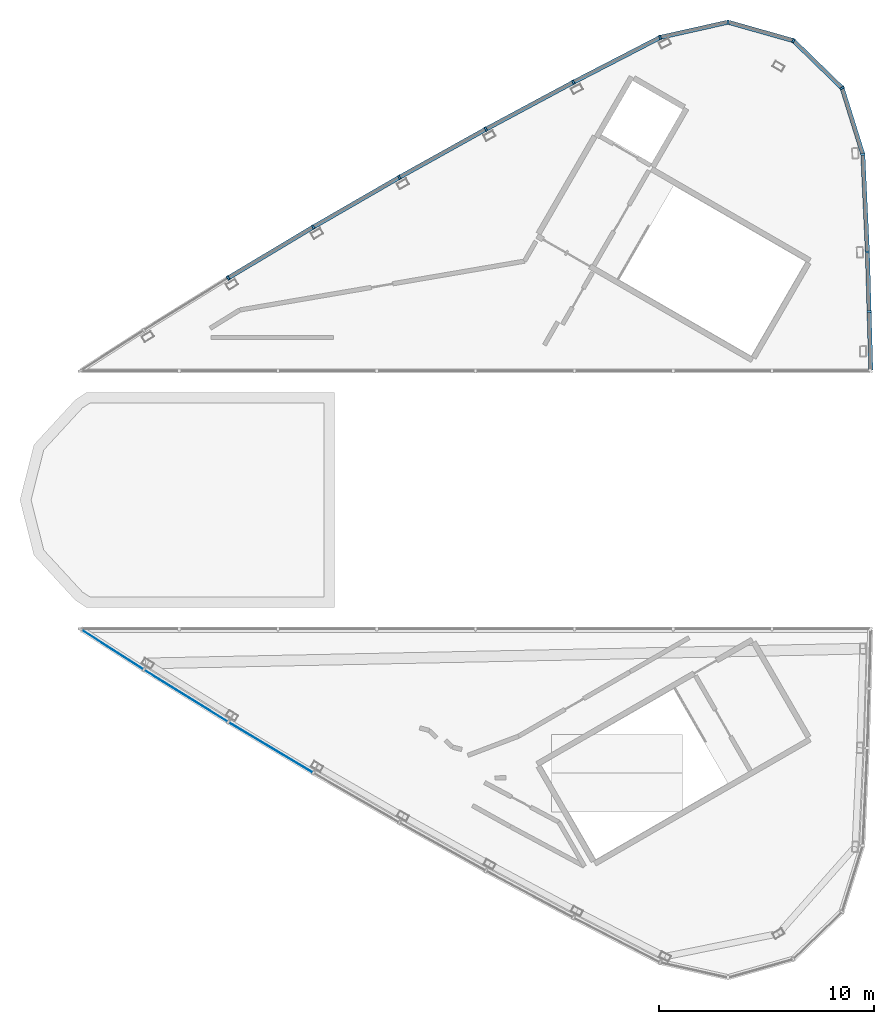
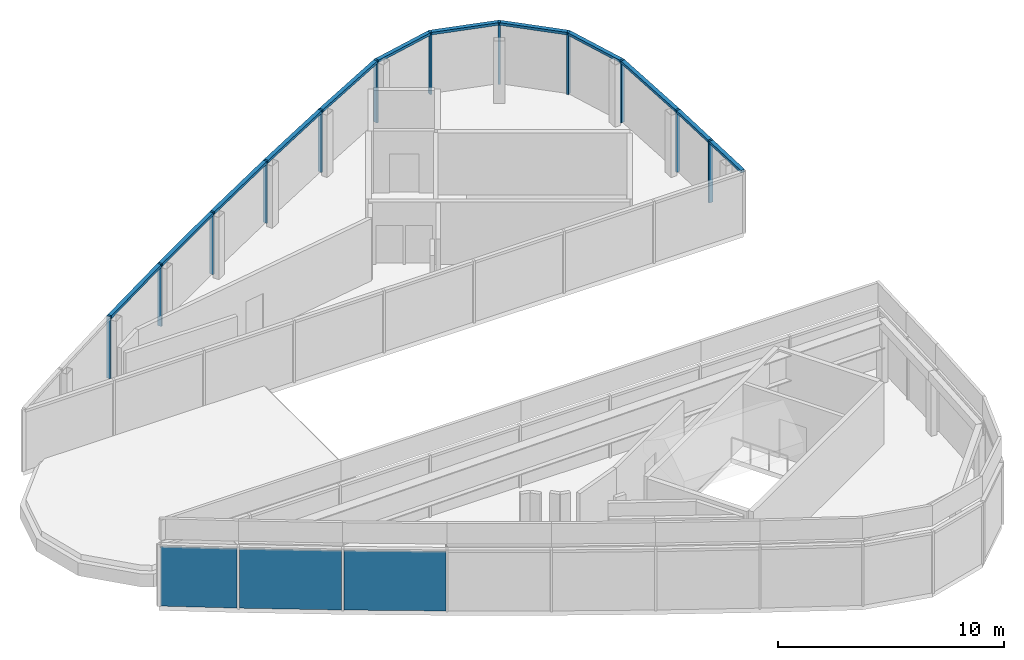
# One storey, part 3 of 7: 24 members, 3 plates, 2 elements without a shape of their own.
"""IFC4 building model written with IfcOpenShell, lengths in metres."""

from ifc_helpers import new_model, si_unit, direction, frame, origin, origin_2d, place, context, subcontext, project, spatial, rectangle, extrude, material, layer, layer_set, material_profile, profile_set, type_object, element, aggregate, save


model = new_model("IFC4")

# Units and contexts
model_context = context("Model", 3, precision=1e-05, world=origin(), true_north=direction((0.0, 1.0)))
body_context = subcontext(model_context, "Body", "Model", "MODEL_VIEW")
ifc_project = project(units=[si_unit("LENGTHUNIT", "METRE"), si_unit("AREAUNIT", "SQUARE_METRE"), si_unit("VOLUMEUNIT", "CUBIC_METRE"), si_unit("PLANEANGLEUNIT", "RADIAN"), si_unit("MASSUNIT", "GRAM", prefix="KILO")], contexts=[model_context])

# Site, building, storey
site_placement = place(None, origin())
site = spatial("IfcSite", under=ifc_project, at=site_placement, CompositionType="ELEMENT")
building_placement = place(site_placement, origin())
building = spatial("IfcBuilding", under=site, at=building_placement, Name="Tamra Quay Hotel Tower", CompositionType="ELEMENT")
storey_placement = place(building_placement, frame((0.0, 0.0, 335.0)))
storey = spatial("IfcBuildingStorey", under=building, at=storey_placement, Name="Roof crown 5", CompositionType="ELEMENT", Elevation=335.0)

# Curtain wall, members
ifc_material_1 = material(Name="Aluminium 6063 anodised dark grey", Category="aluminium")
curtain_wall_type = type_object("IfcCurtainWallType", Name="CW6 CURTAIN WALL", PredefinedType="NOTDEFINED", material=ifc_material_1)
curtain_wall_1_placement = place(storey_placement, origin())
curtain_wall_1 = element("IfcCurtainWall", 1, at=curtain_wall_1_placement, inside=storey, type_object=curtain_wall_type, Name="CW6 lantern A face Roof crown 5", PredefinedType="NOTDEFINED")
ifc_material_profile_1 = material_profile(ifc_material_1, rectangle(XDim=0.199951171875, YDim=0.10009765625, at=origin_2d()), Name="MULLION 100X200")
ifc_profile_set_1 = profile_set([ifc_material_profile_1], Name="Aluminium 6063 anodised dark grey")
member_type_1 = type_object("IfcMemberType", Name="MULLION CW6", PredefinedType="MULLION", material=ifc_profile_set_1)
member_1_placement = place(storey_placement, frame((15.767822265625, 11.528564453125, 0.0), z_axis=(0.0, 0.0, 1.0), x_axis=(0.999287700876, 0.037737128642, 0.0)))
member_1 = element("IfcMember", 2, at=member_1_placement, type_object=member_type_1, Name="CW6 mullion Roof crown 5.A.1", PredefinedType="MULLION", context=body_context, shape_type="SweptSolid", body=[
    extrude(rectangle(XDim=0.199951171875, YDim=0.10009765625, at=origin_2d()), origin(), (0.0, 0.0, 1.0), 3.35009765625),
])
member_2_placement = place(storey_placement, frame((15.555419921875, 16.063720703125, 0.0), z_axis=(0.0, 0.0, 1.0), x_axis=(0.984739916253, 0.174032460585, 0.0)))
member_2 = element("IfcMember", 3, at=member_2_placement, type_object=member_type_1, Name="CW6 mullion Roof crown 5.A.2", PredefinedType="MULLION", context=body_context, shape_type="SweptSolid", body=[
    extrude(rectangle(XDim=0.199951171875, YDim=0.10009765625, at=origin_2d()), origin(), (0.0, 0.0, 1.0), 3.35009765625),
])
member_3_placement = place(storey_placement, frame((14.5908203125, 19.149169921875, 0.0), z_axis=(0.0, 0.0, 1.0), x_axis=(0.851964184595, 0.523600065094, 0.0)))
member_3 = element("IfcMember", 4, at=member_3_placement, type_object=member_type_1, Name="CW6 mullion Roof crown 5.A.3", PredefinedType="MULLION", context=body_context, shape_type="SweptSolid", body=[
    extrude(rectangle(XDim=0.199951171875, YDim=0.10009765625, at=origin_2d()), origin(), (0.0, 0.0, 1.0), 3.35009765625),
])
member_4_placement = place(storey_placement, frame((12.3271484375, 21.351318359375, 0.0), z_axis=(0.0, 0.0, 1.0), x_axis=(0.5, 0.866025403784, 0.0)))
member_4 = element("IfcMember", 5, at=member_4_placement, type_object=member_type_1, Name="CW6 mullion Roof crown 5.A.4", PredefinedType="MULLION", context=body_context, shape_type="SweptSolid", body=[
    extrude(rectangle(XDim=0.199951171875, YDim=0.10009765625, at=origin_2d()), origin(), (0.0, 0.0, 1.0), 3.35009765625),
])
member_5_placement = place(storey_placement, frame((9.288330078125, 22.21044921875, 0.0), z_axis=(0.0, 0.0, 1.0), x_axis=(0.027468865497, 0.999622659521, 0.0)))
member_5 = element("IfcMember", 6, at=member_5_placement, type_object=member_type_1, Name="CW6 mullion Roof crown 5.A.5", PredefinedType="MULLION", context=body_context, shape_type="SweptSolid", body=[
    extrude(rectangle(XDim=0.199951171875, YDim=0.10009765625, at=origin_2d()), origin(), (0.0, 0.0, 1.0), 3.35009765625),
])
member_6_placement = place(storey_placement, frame((6.134033203125, 21.503173828125, 0.0), z_axis=(0.0, 0.0, 1.0), x_axis=(-0.341653426177, 0.939826013888, 0.0)))
member_6 = element("IfcMember", 7, at=member_6_placement, type_object=member_type_1, Name="CW6 mullion Roof crown 5.A.6", PredefinedType="MULLION", context=body_context, shape_type="SweptSolid", body=[
    extrude(rectangle(XDim=0.199951171875, YDim=0.10009765625, at=origin_2d()), origin(), (0.0, 0.0, 1.0), 3.35009765625),
])
member_7_placement = place(storey_placement, frame((2.10009765625, 19.419677734375, 0.0), z_axis=(0.0, 0.0, 1.0), x_axis=(-0.465815600445, 0.884881814923, 0.0)))
member_7 = element("IfcMember", 8, at=member_7_placement, type_object=member_type_1, Name="CW6 mullion Roof crown 5.A.7", PredefinedType="MULLION", context=body_context, shape_type="SweptSolid", body=[
    extrude(rectangle(XDim=0.199951171875, YDim=0.10009765625, at=origin_2d()), origin(), (0.0, 0.0, 1.0), 3.35009765625),
])
member_8_placement = place(storey_placement, frame((-1.96435546875, 17.239501953125, 0.0), z_axis=(0.0, 0.0, 1.0), x_axis=(-0.479565116943, 0.877506295483, 0.0)))
member_8 = element("IfcMember", 9, at=member_8_placement, type_object=member_type_1, Name="CW6 mullion Roof crown 5.A.8", PredefinedType="MULLION", context=body_context, shape_type="SweptSolid", body=[
    extrude(rectangle(XDim=0.199951171875, YDim=0.10009765625, at=origin_2d()), origin(), (0.0, 0.0, 1.0), 3.35009765625),
])
member_9_placement = place(storey_placement, frame((-5.99462890625, 14.995849609375, 0.0), z_axis=(0.0, 0.0, 1.0), x_axis=(-0.493215722033, 0.869907036148, 0.0)))
member_9 = element("IfcMember", 10, at=member_9_placement, type_object=member_type_1, Name="CW6 mullion Roof crown 5.A.9", PredefinedType="MULLION", context=body_context, shape_type="SweptSolid", body=[
    extrude(rectangle(XDim=0.199951171875, YDim=0.10009765625, at=origin_2d()), origin(), (0.0, 0.0, 1.0), 3.35009765625),
])
member_10_placement = place(storey_placement, frame((-9.989501953125, 12.689453125, 0.0), z_axis=(0.0, 0.0, 1.0), x_axis=(-0.506753731218, 0.862090862901, 0.0)))
member_10 = element("IfcMember", 11, at=member_10_placement, type_object=member_type_1, Name="CW6 mullion Roof crown 5.A.10", PredefinedType="MULLION", context=body_context, shape_type="SweptSolid", body=[
    extrude(rectangle(XDim=0.199951171875, YDim=0.10009765625, at=origin_2d()), origin(), (0.0, 0.0, 1.0), 3.35009765625),
])
member_11_placement = place(storey_placement, frame((-13.947509765625, 10.321044921875, 0.0), z_axis=(0.0, 0.0, 1.0), x_axis=(-0.520160185397, 0.854068721783, 0.0)))
member_11 = element("IfcMember", 12, at=member_11_placement, type_object=member_type_1, Name="CW6 mullion Roof crown 5.A.11", PredefinedType="MULLION", context=body_context, shape_type="SweptSolid", body=[
    extrude(rectangle(XDim=0.199951171875, YDim=0.10009765625, at=origin_2d()), origin(), (0.0, 0.0, 1.0), 3.35009765625),
])
member_12_placement = place(storey_placement, frame((15.84716796875, 8.76416015625, 0.0), z_axis=(0.0, 0.0, 1.0), x_axis=(0.999589509324, 0.028649831581, 0.0)))
member_12 = element("IfcMember", 13, at=member_12_placement, type_object=member_type_1, Name="CW6 mullion Roof crown 5.A.22", PredefinedType="MULLION", context=body_context, shape_type="SweptSolid", body=[
    extrude(rectangle(XDim=0.199951171875, YDim=0.10009765625, at=origin_2d()), origin(), (0.0, 0.0, 1.0), 3.35009765625),
])
ifc_material_profile_2 = material_profile(ifc_material_1, rectangle(XDim=0.199951171875, YDim=0.139892578125, at=origin_2d()), Name="TRANSOM 200X140")
ifc_profile_set_2 = profile_set([ifc_material_profile_2], Name="Aluminium 6063 anodised dark grey")
member_type_2 = type_object("IfcMemberType", Name="TRANSOM CW6", PredefinedType="USERDEFINED", material=ifc_profile_set_2)
member_13_placement = place(storey_placement, frame((15.765625, 11.578369140625, 3.280029296875), z_axis=(-0.046844159112, 0.998902209807, 0.0), x_axis=(-0.998902209807, -0.046844159112, 0.0)))
member_13 = element("IfcMember", 14, at=member_13_placement, type_object=member_type_2, Name="CW6 transom Roof crown 5.A.1", ObjectType="TRANSOM", PredefinedType="USERDEFINED", context=body_context, shape_type="SweptSolid", body=[
    extrude(rectangle(XDim=0.199951171875, YDim=0.139892578125, at=origin_2d()), origin(), (0.0, 0.0, 1.0), 4.4404296875),
])
member_14_placement = place(storey_placement, frame((15.54052734375, 16.111572265625, 3.280029296875), z_axis=(-0.298403676177, 0.954439755063, 0.0), x_axis=(-0.954439755063, -0.298403676177, 0.0)))
member_14 = element("IfcMember", 15, at=member_14_placement, type_object=member_type_2, Name="CW6 transom Roof crown 5.A.2", ObjectType="TRANSOM", PredefinedType="USERDEFINED", context=body_context, shape_type="SweptSolid", body=[
    extrude(rectangle(XDim=0.199951171875, YDim=0.139892578125, at=origin_2d()), origin(), (0.0, 0.0, 1.0), 3.1328125),
])
member_15_placement = place(storey_placement, frame((14.554931640625, 19.18408203125, 3.280029296875), z_axis=(-0.716779852689, 0.697299535909, 0.0), x_axis=(-0.697299535909, -0.716779852689, 0.0)))
member_15 = element("IfcMember", 16, at=member_15_placement, type_object=member_type_2, Name="CW6 transom Roof crown 5.A.3", ObjectType="TRANSOM", PredefinedType="USERDEFINED", context=body_context, shape_type="SweptSolid", body=[
    extrude(rectangle(XDim=0.199951171875, YDim=0.139892578125, at=origin_2d()), origin(), (0.0, 0.0, 1.0), 3.057861328125),
])
member_16_placement = place(storey_placement, frame((12.279052734375, 21.364990234375, 3.280029296875), z_axis=(-0.962273511824, 0.272083973143, 0.0), x_axis=(-0.272083973143, -0.962273511824, 0.0)))
member_16 = element("IfcMember", 17, at=member_16_placement, type_object=member_type_2, Name="CW6 transom Roof crown 5.A.4", ObjectType="TRANSOM", PredefinedType="USERDEFINED", context=body_context, shape_type="SweptSolid", body=[
    extrude(rectangle(XDim=0.199951171875, YDim=0.139892578125, at=origin_2d()), origin(), (0.0, 0.0, 1.0), 3.05810546875),
])
member_17_placement = place(storey_placement, frame((9.239501953125, 22.19970703125, 3.280029296875), z_axis=(-0.97575974355, -0.218844517563, 0.0), x_axis=(0.218844517563, -0.97575974355, 0.0)))
member_17 = element("IfcMember", 18, at=member_17_placement, type_object=member_type_2, Name="CW6 transom Roof crown 5.A.5", ObjectType="TRANSOM", PredefinedType="USERDEFINED", context=body_context, shape_type="SweptSolid", body=[
    extrude(rectangle(XDim=0.199951171875, YDim=0.139892578125, at=origin_2d()), origin(), (0.0, 0.0, 1.0), 3.132568359375),
])
member_18_placement = place(storey_placement, frame((6.089599609375, 21.480224609375, 3.280029296875), z_axis=(-0.888489056093, -0.458897806928, 0.0), x_axis=(0.458897806928, -0.888489056093, 0.0)))
member_18 = element("IfcMember", 19, at=member_18_placement, type_object=member_type_2, Name="CW6 transom Roof crown 5.A.6", ObjectType="TRANSOM", PredefinedType="USERDEFINED", context=body_context, shape_type="SweptSolid", body=[
    extrude(rectangle(XDim=0.199951171875, YDim=0.139892578125, at=origin_2d()), origin(), (0.0, 0.0, 1.0), 4.440185546875),
])
member_19_placement = place(storey_placement, frame((2.055908203125, 19.39599609375, 3.280029296875), z_axis=(-0.881213593075, -0.47271831293, 0.0), x_axis=(0.47271831293, -0.881213593075, 0.0)))
member_19 = element("IfcMember", 20, at=member_19_placement, type_object=member_type_2, Name="CW6 transom Roof crown 5.A.7", ObjectType="TRANSOM", PredefinedType="USERDEFINED", context=body_context, shape_type="SweptSolid", body=[
    extrude(rectangle(XDim=0.199951171875, YDim=0.139892578125, at=origin_2d()), origin(), (0.0, 0.0, 1.0), 4.51220703125),
])
member_20_placement = place(storey_placement, frame((-2.008056640625, 17.215087890625, 3.280029296875), z_axis=(-0.8737256573, -0.486419033114, 0.0), x_axis=(0.486419033114, -0.8737256573, 0.0)))
member_20 = element("IfcMember", 21, at=member_20_placement, type_object=member_type_2, Name="CW6 transom Roof crown 5.A.8", ObjectType="TRANSOM", PredefinedType="USERDEFINED", context=body_context, shape_type="SweptSolid", body=[
    extrude(rectangle(XDim=0.199951171875, YDim=0.139892578125, at=origin_2d()), origin(), (0.0, 0.0, 1.0), 4.5126953125),
])
member_21_placement = place(storey_placement, frame((-6.0380859375, 14.970703125, 3.280029296875), z_axis=(-0.86601710485, -0.5000143739, 0.0), x_axis=(0.5000143739, -0.86601710485, 0.0)))
member_21 = element("IfcMember", 22, at=member_21_placement, type_object=member_type_2, Name="CW6 transom Roof crown 5.A.9", ObjectType="TRANSOM", PredefinedType="USERDEFINED", context=body_context, shape_type="SweptSolid", body=[
    extrude(rectangle(XDim=0.199951171875, YDim=0.139892578125, at=origin_2d()), origin(), (0.0, 0.0, 1.0), 4.512451171875),
])
member_22_placement = place(storey_placement, frame((-10.0322265625, 12.663818359375, 3.280029296875), z_axis=(-0.858103349305, -0.513477012058, 0.0), x_axis=(0.513477012058, -0.858103349305, 0.0)))
member_22 = element("IfcMember", 23, at=member_22_placement, type_object=member_type_2, Name="CW6 transom Roof crown 5.A.10", ObjectType="TRANSOM", PredefinedType="USERDEFINED", context=body_context, shape_type="SweptSolid", body=[
    extrude(rectangle(XDim=0.199951171875, YDim=0.139892578125, at=origin_2d()), origin(), (0.0, 0.0, 1.0), 4.5126953125),
])
member_23_placement = place(storey_placement, frame((15.925048828125, 6.050048828125, 3.280029296875), z_axis=(-0.02866959947, 0.999588942549, 0.0), x_axis=(-0.999588942549, -0.02866959947, 0.0)))
member_23 = element("IfcMember", 24, at=member_23_placement, type_object=member_type_2, Name="CW6 transom Roof crown 5.A.21", ObjectType="TRANSOM", PredefinedType="USERDEFINED", context=body_context, shape_type="SweptSolid", body=[
    extrude(rectangle(XDim=0.199951171875, YDim=0.139892578125, at=origin_2d()), origin(), (0.0, 0.0, 1.0), 2.665283203125),
])
member_24_placement = place(storey_placement, frame((15.845703125, 8.814208984375, 3.280029296875), z_axis=(-0.02866959947, 0.999588942549, 0.0), x_axis=(-0.999588942549, -0.02866959947, 0.0)))
member_24 = element("IfcMember", 25, at=member_24_placement, type_object=member_type_2, Name="CW6 transom Roof crown 5.A.22", ObjectType="TRANSOM", PredefinedType="USERDEFINED", context=body_context, shape_type="SweptSolid", body=[
    extrude(rectangle(XDim=0.199951171875, YDim=0.139892578125, at=origin_2d()), origin(), (0.0, 0.0, 1.0), 2.665283203125),
])
aggregate(curtain_wall_1, [member_1, member_13, member_2, member_14, member_3, member_15, member_4, member_16, member_5, member_17, member_6, member_18, member_7, member_19, member_8, member_20, member_9, member_21, member_10, member_22, member_11, member_23, member_12, member_24])

# Curtain wall, plates
curtain_wall_2_placement = place(storey_placement, origin())
curtain_wall_2 = element("IfcCurtainWall", 26, at=curtain_wall_2_placement, inside=storey, type_object=curtain_wall_type, Name="CW6 lantern B face Roof crown 5", PredefinedType="NOTDEFINED")
ifc_material_2 = material(Name="Glass clear laminated low-iron", Category="glass")
ifc_layer = layer(ifc_material_2, 0.030029296875)
ifc_layer_set = layer_set([ifc_layer], Name="GLASS PANEL CW6")
plate_type = type_object("IfcPlateType", Name="GLASS PANEL CW6", PredefinedType="CURTAIN_PANEL", material=ifc_layer_set)
plate_1_placement = place(storey_placement, frame((-19.341796875, -6.945556640625, 0.0), z_axis=(0.0, 0.0, 1.0), x_axis=(0.841664964506, -0.54000008104, 0.0)))
plate_1 = element("IfcPlate", 27, at=plate_1_placement, type_object=plate_type, Name="CW6 glass Roof crown 5.B.9", PredefinedType="CURTAIN_PANEL", context=body_context, shape_type="SweptSolid", body=[
    extrude(rectangle(XDim=3.402099609375, YDim=0.030029296875, at=origin_2d()), origin(), (0.0, 0.0, 1.0), 3.2099609375),
])
plate_2_placement = place(storey_placement, frame((-15.90771484375, -9.10595703125, 0.0), z_axis=(0.0, 0.0, 1.0), x_axis=(0.849981732244, -0.526812162779, 0.0)))
plate_2 = element("IfcPlate", 28, at=plate_2_placement, type_object=plate_type, Name="CW6 glass Roof crown 5.B.10", PredefinedType="CURTAIN_PANEL", context=body_context, shape_type="SweptSolid", body=[
    extrude(rectangle(XDim=4.51220703125, YDim=0.030029296875, at=origin_2d()), origin(), (0.0, 0.0, 1.0), 3.2099609375),
])
plate_3_placement = place(storey_placement, frame((-11.968505859375, -11.505126953125, 0.0), z_axis=(0.0, 0.0, 1.0), x_axis=(0.858103653871, -0.513476503078, 0.0)))
plate_3 = element("IfcPlate", 29, at=plate_3_placement, type_object=plate_type, Name="CW6 glass Roof crown 5.B.11", PredefinedType="CURTAIN_PANEL", context=body_context, shape_type="SweptSolid", body=[
    extrude(rectangle(XDim=4.5126953125, YDim=0.030029296875, at=origin_2d()), origin(), (0.0, 0.0, 1.0), 3.2099609375),
])
aggregate(curtain_wall_2, [plate_1, plate_2, plate_3])

save(model, "model.ifc")
